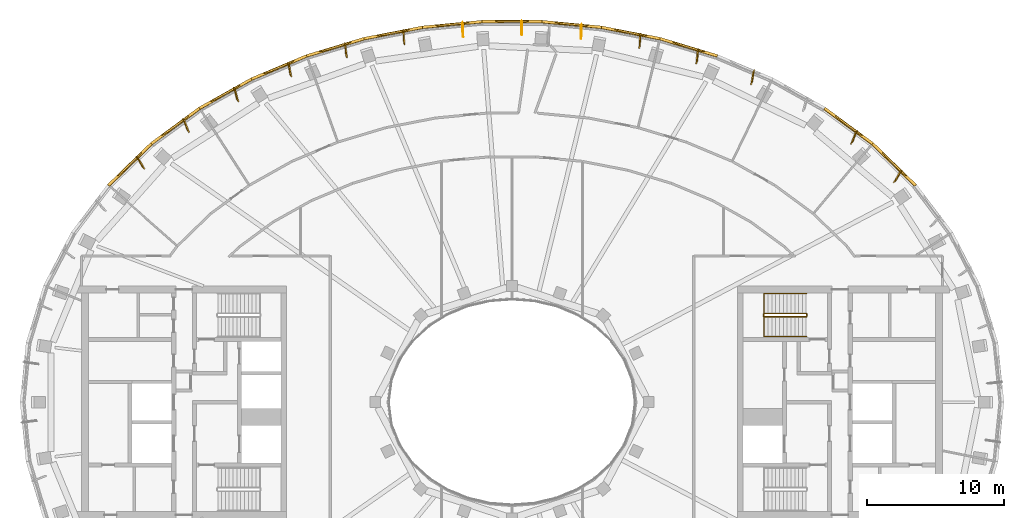
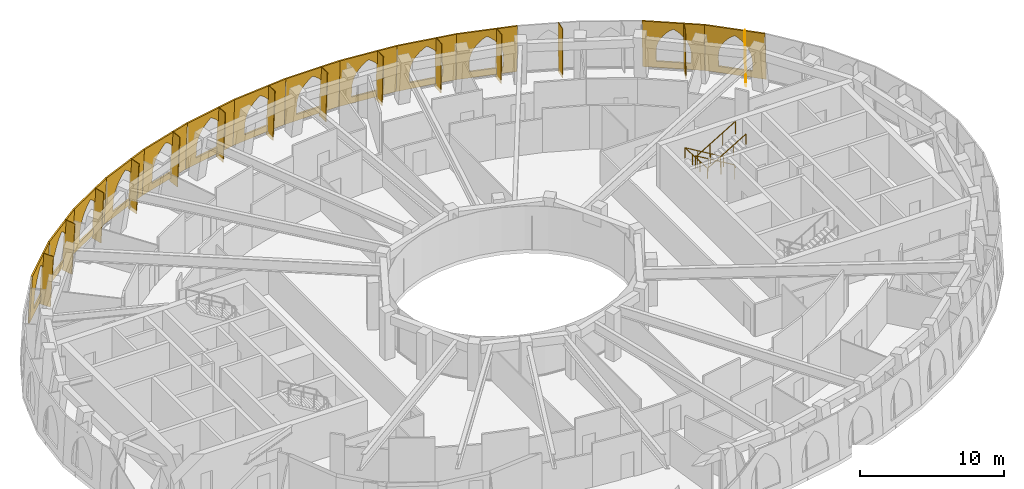
# One storey, part 14 of 15: 27 coverings, 2 railings.
"""IFC4 building model written with IfcOpenShell, lengths in metres."""

from ifc_helpers import new_model, si_unit, direction, frame, origin, origin_2d, place, context, subcontext, project, spatial, polyline, rectangle, outline, extrude, material, layer, layer_set, type_object, element, save


model = new_model("IFC4")

# Units and contexts
model_context = context("Model", 3, precision=1e-05, world=origin(), true_north=direction((0.0, 1.0)))
body_context = subcontext(model_context, "Body", "Model", "MODEL_VIEW")
ifc_project = project(units=[si_unit("LENGTHUNIT", "METRE"), si_unit("AREAUNIT", "SQUARE_METRE"), si_unit("VOLUMEUNIT", "CUBIC_METRE"), si_unit("PLANEANGLEUNIT", "RADIAN"), si_unit("MASSUNIT", "GRAM", prefix="KILO")], contexts=[model_context])

# Site, building, storey
site_placement = place(None, origin())
site = spatial("IfcSite", under=ifc_project, at=site_placement, CompositionType="ELEMENT")
building_placement = place(site_placement, origin())
building = spatial("IfcBuilding", under=site, at=building_placement, Name="Noorbagh Ring Tower", CompositionType="ELEMENT")
storey_placement = place(building_placement, frame((0.0, 0.0, 331.0)))
storey = spatial("IfcBuildingStorey", under=building, at=storey_placement, Name="L72", CompositionType="ELEMENT", Elevation=331.0)

# Railings
ifc_material_1 = material(Name="Stainless steel", Category="steel")
railing_type_1 = type_object("IfcRailingType", Name="CORE-STAIR-GUARD", PredefinedType="GUARDRAIL", material=ifc_material_1)
railing_1_placement = place(storey_placement, frame((21.580078125, 6.449951171875, 0.0)))
element("IfcRailing", 1, at=railing_1_placement, inside=storey, type_object=railing_type_1, Name="L72 ST3 stair guard", PredefinedType="GUARDRAIL", context=body_context, shape_type="SweptSolid", body=[
    extrude(rectangle(XDim=0.048095703125, YDim=0.048095703125, at=origin_2d()), frame((0.0, 0.0, 1.076171875), z_axis=(0.0, -1.0, 0.0), x_axis=(1.0, 0.0, 0.0)), (0.0, 0.0, 1.0), 0.14990234375),
    extrude(rectangle(XDim=0.048095703125, YDim=0.048095703125, at=origin_2d()), frame((0.0, -0.14990234375, 1.076171875), z_axis=(-0.188775798145, 0.754182335027, 0.628945707965), x_axis=(-0.970072785993, -0.242814311512, 0.0)), (0.0, 0.0, 1.0), 0.26513671875),
    extrude(rectangle(XDim=0.048095703125, YDim=0.048095703125, at=origin_2d()), frame((-0.050048828125, 0.050048828125, 1.24267578125), z_axis=(-0.859308565015, 0.0, 0.511457515432), x_axis=(0.0, -1.0, 0.0)), (0.0, 0.0, 1.0), 3.58447265625),
    extrude(rectangle(XDim=0.048095703125, YDim=0.048095703125, at=origin_2d()), frame((-3.130126953125, 0.050048828125, 3.076171875), z_axis=(-0.707106781187, -0.707106781187, 0.0), x_axis=(0.707106781187, -0.707106781187, 0.0)), (0.0, 0.0, 1.0), 0.07080078125),
    extrude(rectangle(XDim=0.048095703125, YDim=0.048095703125, at=origin_2d()), frame((-3.18017578125, 0.0, 3.076171875), z_axis=(0.0, -1.0, 0.0), x_axis=(1.0, 0.0, 0.0)), (0.0, 0.0, 1.0), 0.14990234375),
    extrude(rectangle(XDim=0.048095703125, YDim=0.048095703125, at=origin_2d()), frame((-3.18017578125, -0.14990234375, 3.076171875), z_axis=(0.27628659633, -0.27628659633, 0.920506074601), x_axis=(0.707106781187, 0.707106781187, 0.0)), (0.0, 0.0, 1.0), 0.18115234375),
    extrude(rectangle(XDim=0.048095703125, YDim=0.048095703125, at=origin_2d()), frame((-3.130126953125, -0.199951171875, 3.24267578125), z_axis=(0.859308565015, 0.0, 0.511457515432), x_axis=(0.0, 1.0, 0.0)), (0.0, 0.0, 1.0), 3.58447265625),
    extrude(rectangle(XDim=0.0419921875, YDim=0.0419921875, at=origin_2d()), origin(), (0.0, 0.0, 1.0), 1.052001953125),
    extrude(rectangle(XDim=0.0419921875, YDim=0.0419921875, at=origin_2d()), frame((-1.07666015625, 0.050048828125, 0.77783203125)), (0.0, 0.0, 1.0), 1.052001953125),
    extrude(rectangle(XDim=0.0419921875, YDim=0.0419921875, at=origin_2d()), frame((-2.103515625, 0.050048828125, 1.388916015625)), (0.0, 0.0, 1.0), 1.052001953125),
    extrude(rectangle(XDim=0.0419921875, YDim=0.0419921875, at=origin_2d()), frame((-3.130126953125, 0.050048828125, 2.0)), (0.0, 0.0, 1.0), 1.052001953125),
    extrude(rectangle(XDim=0.0419921875, YDim=0.0419921875, at=origin_2d()), frame((-3.130126953125, -0.199951171875, 2.166748046875)), (0.0, 0.0, 1.0), 1.052001953125),
    extrude(rectangle(XDim=0.0419921875, YDim=0.0419921875, at=origin_2d()), frame((-2.103515625, -0.199951171875, 2.77783203125)), (0.0, 0.0, 1.0), 1.052001953125),
    extrude(rectangle(XDim=0.0419921875, YDim=0.0419921875, at=origin_2d()), frame((-1.07666015625, -0.199951171875, 3.388916015625)), (0.0, 0.0, 1.0), 1.052001953125),
    extrude(rectangle(XDim=0.0419921875, YDim=0.0419921875, at=origin_2d()), frame((-0.050048828125, -0.199951171875, 4.0)), (0.0, 0.0, 1.0), 1.052001953125),
])
ifc_material_2 = material(Name="Stainless steel", Category="steel")
railing_type_2 = type_object("IfcRailingType", Name="CORE-STAIR-HANDRAIL", PredefinedType="HANDRAIL", material=ifc_material_2)
railing_2_placement = place(storey_placement, frame((21.530029296875, 7.949951171875, 0.166748046875)))
element("IfcRailing", 2, at=railing_2_placement, inside=storey, type_object=railing_type_2, Name="L72 ST3 stair handrail", PredefinedType="HANDRAIL", context=body_context, shape_type="SweptSolid", body=[
    extrude(rectangle(XDim=0.048095703125, YDim=0.048095703125, at=origin_2d()), frame((0.0, 0.0, 0.8759765625), z_axis=(-0.859308565015, 0.0, 0.511457515432), x_axis=(0.0, -1.0, 0.0)), (0.0, 0.0, 1.0), 3.58447265625),
    extrude(rectangle(XDim=0.048095703125, YDim=0.048095703125, at=origin_2d()), frame((-3.080078125, 0.0, 2.708984375), z_axis=(0.0, -0.998601747152, 0.052863509014), x_axis=(1.0, 0.0, 0.0)), (0.0, 0.0, 1.0), 3.154296875),
    extrude(rectangle(XDim=0.048095703125, YDim=0.048095703125, at=origin_2d()), frame((-3.080078125, -3.14990234375, 2.8759765625), z_axis=(0.859308565015, 0.0, 0.511457515432), x_axis=(0.0, 1.0, 0.0)), (0.0, 0.0, 1.0), 3.58447265625),
    extrude(rectangle(XDim=0.0419921875, YDim=0.0419921875, at=origin_2d()), origin(), (0.0, 0.0, 1.0), 0.851806640625),
    extrude(rectangle(XDim=0.0419921875, YDim=0.0419921875, at=origin_2d()), frame((-1.026611328125, 0.0, 0.611083984375)), (0.0, 0.0, 1.0), 0.851806640625),
    extrude(rectangle(XDim=0.0419921875, YDim=0.0419921875, at=origin_2d()), frame((-2.053466796875, 0.0, 1.22216796875)), (0.0, 0.0, 1.0), 0.851806640625),
    extrude(rectangle(XDim=0.0419921875, YDim=0.0419921875, at=origin_2d()), frame((-3.080078125, 0.0, 1.833251953125)), (0.0, 0.0, 1.0), 0.851806640625),
    extrude(rectangle(XDim=0.0419921875, YDim=0.0419921875, at=origin_2d()), frame((-3.080078125, -1.050048828125, 1.888916015625)), (0.0, 0.0, 1.0), 0.851806640625),
    extrude(rectangle(XDim=0.0419921875, YDim=0.0419921875, at=origin_2d()), frame((-3.080078125, -2.099853515625, 1.9443359375)), (0.0, 0.0, 1.0), 0.851806640625),
    extrude(rectangle(XDim=0.0419921875, YDim=0.0419921875, at=origin_2d()), frame((-3.080078125, -3.14990234375, 2.0)), (0.0, 0.0, 1.0), 0.851806640625),
    extrude(rectangle(XDim=0.0419921875, YDim=0.0419921875, at=origin_2d()), frame((-2.053466796875, -3.14990234375, 2.611083984375)), (0.0, 0.0, 1.0), 0.851806640625),
    extrude(rectangle(XDim=0.0419921875, YDim=0.0419921875, at=origin_2d()), frame((-1.026611328125, -3.14990234375, 3.22216796875)), (0.0, 0.0, 1.0), 0.851806640625),
    extrude(rectangle(XDim=0.0419921875, YDim=0.0419921875, at=origin_2d()), frame((0.0, -3.14990234375, 3.833251953125)), (0.0, 0.0, 1.0), 0.851806640625),
])

# Coverings
ifc_material_3 = material(Name="Aluminium 6063-T6 black anodised", Category="aluminium")
ifc_layer_1 = layer(ifc_material_3, 0.050048828125)
ifc_layer_set_1 = layer_set([ifc_layer_1], Name="Aluminium 6063-T6 black anodised")
covering_type_1 = type_object("IfcCoveringType", Name="STYLE-HEAD-FIN", PredefinedType="CLADDING", material=ifc_layer_set_1)
covering_1_placement = place(storey_placement, frame((28.5703125, 16.95751953125, -0.31494140625), z_axis=(0.863729704312, -0.503616267605, 0.018483854928), x_axis=(-0.039140773983, -0.03047150993, 0.998768985749)))
element("IfcCovering", 3, at=covering_1_placement, inside=storey, type_object=covering_type_1, Name="Fin rib F05 L72", ObjectType="FIN", PredefinedType="CLADDING", context=body_context, shape_type="SweptSolid", body=[
    extrude(outline(polyline([(0.0, 0.0), (4.320261658778037, 0.0), (4.361684159786144, 0.8988157411742396), (0.04143205686112905, 0.8989384054998826), (0.0, 0.0)])), origin(), (0.0, 0.0, -1.0), 0.050048828125),
])
covering_2_placement = place(storey_placement, frame((25.29541015625, 19.862548828125, -0.31494140625), z_axis=(0.930726653952, -0.365211551667, 0.019194221858), x_axis=(-0.034550445535, -0.035558580398, 0.998770170797)))
element("IfcCovering", 4, at=covering_2_placement, inside=storey, type_object=covering_type_1, Name="Fin rib F06 L72", ObjectType="FIN", PredefinedType="CLADDING", context=body_context, shape_type="SweptSolid", body=[
    extrude(outline(polyline([(0.0, 0.0), (4.320257621679663, 0.0), (4.361405558109073, 0.8990852075184764), (0.04114769030273465, 0.8989469835674277), (0.0, 0.0)])), origin(), (0.0, 0.0, -1.0), 0.050048828125),
])
covering_3_placement = place(storey_placement, frame((17.7666015625, 24.311279296875, -0.31494140625), z_axis=(0.987102798737, -0.159183885401, 0.016986917159), x_axis=(-0.024186454971, -0.043399993966, 0.998764965305)))
element("IfcCovering", 5, at=covering_3_placement, inside=storey, type_object=covering_type_1, Name="Fin rib F08 L72", ObjectType="FIN", PredefinedType="CLADDING", context=body_context, shape_type="SweptSolid", body=[
    extrude(outline(polyline([(0.0, 0.0), (4.32027709836062, 0.0), (4.362311626462117, 0.8991711253754271), (0.04203452810149622, 0.8991711253754269), (0.0, 0.0)])), origin(), (0.0, 0.0, -1.0), 0.050048828125),
])
covering_4_placement = place(storey_placement, frame((13.669921875, 25.86669921875, -0.31494140625), z_axis=(0.995610291718, -0.092495057751, 0.014311230426), x_axis=(-0.018650887525, -0.046224902455, 0.998756928781)))
element("IfcCovering", 6, at=covering_4_placement, inside=storey, type_object=covering_type_1, Name="Fin rib F09 L72", ObjectType="FIN", PredefinedType="CLADDING", context=body_context, shape_type="SweptSolid", body=[
    extrude(outline(polyline([(0.0, 0.0), (4.320311699795511, 2.7755575615628914e-17), (4.363281754643001, 0.8988289392166375), (0.04298134022406647, 0.8990717711488562), (0.0, 0.0)])), origin(), (0.0, 0.0, -1.0), 0.050048828125),
])
covering_5_placement = place(storey_placement, frame((9.43310546875, 26.98876953125, -0.31494140625), z_axis=(0.998904517796, -0.045571204071, 0.010631542043), x_axis=(-0.012829023445, -0.048202848236, 0.998755175996)))
element("IfcCovering", 7, at=covering_5_placement, inside=storey, type_object=covering_type_1, Name="Fin rib F10 L72", ObjectType="FIN", PredefinedType="CLADDING", context=body_context, shape_type="SweptSolid", body=[
    extrude(outline(polyline([(0.0, 0.0), (4.320319384381297, 2.7755575615628914e-17), (4.364176357805257, 0.89879163744508), (0.043868741697455006, 0.8990352403380919), (0.0, 0.0)])), origin(), (0.0, 0.0, -1.0), 0.050048828125),
])
covering_6_placement = place(storey_placement, frame((5.105712890625, 27.685791015625, -0.31494140625), z_axis=(0.99989718211, -0.012885272965, 0.006292451678), x_axis=(-0.006922445275, -0.049446360211, 0.998752790841)))
element("IfcCovering", 8, at=covering_6_placement, inside=storey, type_object=covering_type_1, Name="Fin rib F11 L72", ObjectType="FIN", PredefinedType="CLADDING", context=body_context, shape_type="SweptSolid", body=[
    extrude(outline(polyline([(0.0, 0.0), (4.320330530098316, 2.7755575615628914e-17), (4.364906857897705, 0.8988708645010566), (0.0445780178495053, 0.8988739304345287), (0.0, 0.0)])), origin(), (0.0, 0.0, -1.0), 0.050048828125),
])
covering_7_placement = place(storey_placement, frame((0.731201171875, 27.9638671875, -0.31494140625), z_axis=(0.999929228315, 0.011798975026, 0.001523991495), x_axis=(-0.000932076751, -0.050010535602, 0.998748255349)))
element("IfcCovering", 9, at=covering_7_placement, inside=storey, type_object=covering_type_1, Name="Fin rib F12 L72", ObjectType="FIN", PredefinedType="CLADDING", context=body_context, shape_type="SweptSolid", body=[
    extrude(outline(polyline([(0.0, 0.0), (4.320349568931261, -2.7755575615628914e-17), (4.365344154588084, 0.8988409730802553), (0.04500702281804181, 0.8990818955830328), (0.0, 0.0)])), origin(), (0.0, 0.0, -1.0), 0.050048828125),
])
covering_8_placement = place(storey_placement, frame((-3.650146484375, 27.82470703125, -0.31494140625), z_axis=(-0.999348498305, -0.035942908802, 0.003268982004), x_axis=(0.005057555359, -0.049783775, 0.998747213704)))
element("IfcCovering", 10, at=covering_8_placement, inside=storey, type_object=covering_type_1, Name="Fin rib F13 L72", ObjectType="FIN", PredefinedType="CLADDING", context=body_context, shape_type="SweptSolid", body=[
    extrude(outline(polyline([(0.0, 0.0), (4.320353487108868, 0.0), (4.365293936806532, -0.8988772683094207), (0.044939214942937955, -0.8988685439105552), (0.0, 0.0)])), origin(), (0.0, 0.0, -1.0), 0.050048828125),
])
covering_9_placement = place(storey_placement, frame((-7.997802734375, 27.267822265625, -0.31494140625), z_axis=(-0.997794948635, -0.065913870468, 0.007784738823), x_axis=(0.011021154996, -0.048880347363, 0.998743833916)))
element("IfcCovering", 11, at=covering_9_placement, inside=storey, type_object=covering_type_1, Name="Fin rib F14 L72", ObjectType="FIN", PredefinedType="CLADDING", context=body_context, shape_type="SweptSolid", body=[
    extrude(outline(polyline([(0.0, 0.0), (4.320368443924735, 2.7755575615628914e-17), (4.364914356586794, -0.8988036803014559), (0.044557846340613654, -0.8990469975253996), (0.0, 0.0)])), origin(), (0.0, 0.0, -1.0), 0.050048828125),
])
covering_10_placement = place(storey_placement, frame((-12.27001953125, 26.2880859375, -0.31494140625), z_axis=(-0.994014034415, -0.108622816039, 0.011712524155), x_axis=(0.016924820505, -0.047188170981, 0.998742622987)))
element("IfcCovering", 12, at=covering_10_placement, inside=storey, type_object=covering_type_1, Name="Fin rib F15 L72", ObjectType="FIN", PredefinedType="CLADDING", context=body_context, shape_type="SweptSolid", body=[
    extrude(outline(polyline([(0.0, 0.0), (4.320375167868033, 2.7755575615628914e-17), (4.364250796493104, -0.8990187191163703), (0.04387976066132674, -0.8990450700791668), (0.0, 0.0)])), origin(), (0.0, 0.0, -1.0), 0.050048828125),
])
covering_11_placement = place(storey_placement, frame((-16.419189453125, 24.878173828125, -0.31494140625), z_axis=(-0.985324921997, -0.170051947727, 0.014735439126), x_axis=(0.022660129151, -0.0447551678, 0.998740954153)))
element("IfcCovering", 13, at=covering_11_placement, inside=storey, type_object=covering_type_1, Name="Fin rib F16 L72", ObjectType="FIN", PredefinedType="CLADDING", context=body_context, shape_type="SweptSolid", body=[
    extrude(outline(polyline([(0.0, 0.0), (4.3203809639608926, -2.7755575615628914e-17), (4.36354586278741, -0.8990396405337513), (0.043164898826517833, -0.8990396405337514), (0.0, 0.0)])), origin(), (0.0, 0.0, -1.0), 0.050048828125),
])
covering_12_placement = place(storey_placement, frame((-20.390625, 23.028564453125, -0.31494140625), z_axis=(-0.966983595457, -0.254290917459, 0.016698964468), x_axis=(0.028167919259, -0.041527193426, 0.998740236764)))
element("IfcCovering", 14, at=covering_12_placement, inside=storey, type_object=covering_type_1, Name="Fin rib F17 L72", ObjectType="FIN", PredefinedType="CLADDING", context=body_context, shape_type="SweptSolid", body=[
    extrude(outline(polyline([(0.0, 0.0), (4.320382093632918, 2.7755575615628914e-17), (4.362976320398077, -0.898975721855775), (0.04258734983174663, -0.8989138866238457), (0.0, 0.0)])), origin(), (0.0, 0.0, -1.0), 0.050048828125),
])
covering_13_placement = place(storey_placement, frame((-24.11865234375, 20.729736328125, -0.31494140625), z_axis=(-0.931288864338, -0.363863116793, 0.017455182551), x_axis=(0.033374369557, -0.037508638465, 0.998738831476)))
element("IfcCovering", 15, at=covering_13_placement, inside=storey, type_object=covering_type_1, Name="Fin rib F18 L72", ObjectType="FIN", PredefinedType="CLADDING", context=body_context, shape_type="SweptSolid", body=[
    extrude(outline(polyline([(0.0, 0.0), (4.320387383173463, 0.0), (4.3627593460141005, -0.8988994919300412), (0.04237297218363265, -0.8990381509641956), (0.0, 0.0)])), origin(), (0.0, 0.0, -1.0), 0.050048828125),
])
covering_14_placement = place(storey_placement, frame((-27.522216796875, 17.976318359375, -0.31494140625), z_axis=(-0.867834081661, -0.4965638136, 0.016981923659), x_axis=(0.038200005746, -0.032605626206, 0.998738020054)))
element("IfcCovering", 16, at=covering_14_placement, inside=storey, type_object=covering_type_1, Name="Fin rib F19 L72", ObjectType="FIN", PredefinedType="CLADDING", context=body_context, shape_type="SweptSolid", body=[
    extrude(outline(polyline([(0.0, 0.0), (4.320393656404708, 0.0), (4.362943025150162, -0.8990936109283568), (0.04254936874545527, -0.8990936109283569), (0.0, 0.0)])), origin(), (0.0, 0.0, -1.0), 0.050048828125),
])
ifc_material_4 = material(Name="Red sandstone jali", Category="masonry")
ifc_layer_2 = layer(ifc_material_4, 0.1201171875)
ifc_layer_set_2 = layer_set([ifc_layer_2], Name="Red sandstone jali")
covering_type_2 = type_object("IfcCoveringType", Name="STYLE-HEAD-SKIN", PredefinedType="CLADDING", material=ifc_layer_set_2)
covering_15_placement = place(storey_placement, frame((29.607666015625, 15.927978515625, 0.0), z_axis=(0.696011390946, 0.716348570953, 0.049120958523), x_axis=(-0.717214320942, 0.696852651451, -1.300997e-06)))
element("IfcCovering", 17, at=covering_15_placement, inside=storey, type_object=covering_type_2, Name="Head skin panel", ObjectType="HEAD SKIN", PredefinedType="CLADDING", context=body_context, shape_type="SweptSolid", body=[
    extrude(outline(polyline([(0.0, 0.0), (4.384521484375, 0.0), (4.3955078125, 4.0048828125), (0.0390625, 4.0048828125), (0.0, 0.0)]), holes=[polyline([(0.9755859375, 0.550048828125), (0.980712890625, 1.342041015625), (1.00341796875, 1.66064453125), (1.067626953125, 1.9736328125), (1.172119140625, 2.275634765625), (1.315185546875, 2.56201171875), (1.493896484375, 2.827392578125), (1.705810546875, 3.067138671875), (1.947265625, 3.277587890625), (2.213623046875, 3.454833984375), (2.477783203125, 3.277587890625), (2.71630859375, 3.067138671875), (2.92529296875, 2.827392578125), (3.10107421875, 2.56201171875), (3.240478515625, 2.275634765625), (3.341064453125, 1.9736328125), (3.4013671875, 1.66064453125), (3.42041015625, 1.342041015625), (3.415283203125, 0.550048828125), (0.9755859375, 0.550048828125)])]), origin(), (0.0, 0.0, -1.0), 0.1201171875),
])
covering_16_placement = place(storey_placement, frame((26.463134765625, 18.9833984375, 0.0), z_axis=(0.592330447647, 0.804193803126, 0.049162666773), x_axis=(-0.805167441426, 0.593047545537, 6.088e-07)))
element("IfcCovering", 18, at=covering_16_placement, inside=storey, type_object=covering_type_2, Name="Head skin panel", ObjectType="HEAD SKIN", PredefinedType="CLADDING", context=body_context, shape_type="SweptSolid", body=[
    extrude(outline(polyline([(0.0, 0.0), (4.384765625, 0.0), (4.39599609375, 4.0048828125), (0.0380859375, 4.0048828125), (0.0, 0.0)]), holes=[polyline([(0.9755859375, 0.550048828125), (0.98046875, 1.34130859375), (1.00341796875, 1.659912109375), (1.0673828125, 1.972900390625), (1.172119140625, 2.275390625), (1.31494140625, 2.5615234375), (1.493896484375, 2.826904296875), (1.705810546875, 3.067138671875), (1.947265625, 3.277587890625), (2.213623046875, 3.454833984375), (2.47802734375, 3.277587890625), (2.716796875, 3.067138671875), (2.92578125, 2.826904296875), (3.1015625, 2.5615234375), (3.240966796875, 2.275390625), (3.341796875, 1.972900390625), (3.402099609375, 1.659912109375), (3.4208984375, 1.34130859375), (3.416015625, 0.550048828125), (0.9755859375, 0.550048828125)])]), origin(), (0.0, 0.0, -1.0), 0.1201171875),
])
covering_17_placement = place(storey_placement, frame((15.065185546875, 25.430419921875, 0.0), z_axis=(0.287802464006, 0.956405166129, 0.049587295889), x_axis=(-0.957583181724, 0.288156988601, -6.72818e-07)))
element("IfcCovering", 19, at=covering_17_placement, inside=storey, type_object=covering_type_2, Name="Head skin panel", ObjectType="HEAD SKIN", PredefinedType="CLADDING", context=body_context, shape_type="SweptSolid", body=[
    extrude(outline(polyline([(0.0, 0.0), (4.385986328125, 0.0), (4.388671875, 4.0048828125), (0.027587890625, 4.0048828125), (0.0, 0.0)]), holes=[polyline([(0.97412109375, 0.550048828125), (0.97705078125, 1.340087890625), (0.999267578125, 1.65869140625), (1.062744140625, 1.97216796875), (1.16650390625, 2.274658203125), (1.30908203125, 2.56103515625), (1.487548828125, 2.82666015625), (1.698974609375, 3.06689453125), (1.93994140625, 3.277587890625), (2.206298828125, 3.455078125), (2.47119140625, 3.277587890625), (2.710693359375, 3.06689453125), (2.92041015625, 2.82666015625), (3.0966796875, 2.56103515625), (3.237060546875, 2.274658203125), (3.33837890625, 1.97216796875), (3.399658203125, 1.65869140625), (3.419189453125, 1.340087890625), (3.416259765625, 0.550048828125), (0.97412109375, 0.550048828125)])]), origin(), (0.0, 0.0, -1.0), 0.1201171875),
])
covering_18_placement = place(storey_placement, frame((10.865234375, 26.6943359375, 0.0), z_axis=(0.190584980953, 0.9804101748, 0.049731822647), x_axis=(-0.98162483332, 0.190821085339, 3.32356e-07)))
element("IfcCovering", 20, at=covering_18_placement, inside=storey, type_object=covering_type_2, Name="Head skin panel", ObjectType="HEAD SKIN", PredefinedType="CLADDING", context=body_context, shape_type="SweptSolid", body=[
    extrude(outline(polyline([(0.0, 0.0), (4.385986328125, 0.0), (4.38427734375, 4.0048828125), (0.02294921875, 4.0048828125), (0.0, 0.0)]), holes=[polyline([(0.973388671875, 0.550048828125), (0.975341796875, 1.33984375), (0.997314453125, 1.65869140625), (1.060302734375, 1.971923828125), (1.163818359375, 2.2744140625), (1.305908203125, 2.56103515625), (1.484130859375, 2.82666015625), (1.6953125, 3.06689453125), (1.93603515625, 3.277587890625), (2.202392578125, 3.455078125), (2.46728515625, 3.277587890625), (2.70703125, 3.06689453125), (2.9169921875, 2.82666015625), (3.093994140625, 2.56103515625), (3.234375, 2.2744140625), (3.336181640625, 1.971923828125), (3.397705078125, 1.65869140625), (3.41796875, 1.33984375), (3.415771484375, 0.550048828125), (0.973388671875, 0.550048828125)])]), origin(), (0.0, 0.0, -1.0), 0.1201171875),
])
covering_19_placement = place(storey_placement, frame((6.559814453125, 27.53125, 0.0), z_axis=(0.094902814294, 0.994235885903, 0.049884456709), x_axis=(-0.995475260678, 0.095021078593, 7.52626e-07)))
element("IfcCovering", 21, at=covering_19_placement, inside=storey, type_object=covering_type_2, Name="Head skin panel", ObjectType="HEAD SKIN", PredefinedType="CLADDING", context=body_context, shape_type="SweptSolid", body=[
    extrude(outline(polyline([(0.0, 0.0), (4.386474609375, 0.0), (4.379638671875, 4.0048828125), (0.017822265625, 4.0048828125), (0.0, 0.0)]), holes=[polyline([(0.97265625, 0.550048828125), (0.9736328125, 1.339599609375), (0.9951171875, 1.658447265625), (1.0576171875, 1.971923828125), (1.160888671875, 2.2744140625), (1.302490234375, 2.56103515625), (1.48046875, 2.82666015625), (1.69140625, 3.06689453125), (1.931884765625, 3.277587890625), (2.19775390625, 3.455078125), (2.463134765625, 3.277587890625), (2.703125, 3.06689453125), (2.91357421875, 2.82666015625), (3.0908203125, 2.56103515625), (3.231689453125, 2.2744140625), (3.333984375, 1.971923828125), (3.395751953125, 1.658447265625), (3.416259765625, 1.339599609375), (3.415283203125, 0.550048828125), (0.97265625, 0.550048828125)])]), origin(), (0.0, 0.0, -1.0), 0.1201171875),
])
covering_20_placement = place(storey_placement, frame((2.193115234375, 27.947998046875, 0.0), z_axis=(0.0, 0.99874990542, 0.049986262356), x_axis=(-1.0, 0.0, 0.0)))
element("IfcCovering", 22, at=covering_20_placement, inside=storey, type_object=covering_type_2, Name="Head skin panel", ObjectType="HEAD SKIN", PredefinedType="CLADDING", context=body_context, shape_type="SweptSolid", body=[
    extrude(outline(polyline([(0.0, 0.0), (4.38623046875, 0.0), (4.3740234375, 4.005126953125), (0.01220703125, 4.005126953125), (0.0, 0.0)]), holes=[polyline([(0.9716796875, 0.550048828125), (0.9716796875, 1.339599609375), (0.99267578125, 1.658447265625), (1.05517578125, 1.971923828125), (1.15771484375, 2.2744140625), (1.299072265625, 2.56103515625), (1.4765625, 2.82666015625), (1.687255859375, 3.06689453125), (1.927490234375, 3.277587890625), (2.193115234375, 3.455078125), (2.458740234375, 3.277587890625), (2.69921875, 3.06689453125), (2.90966796875, 2.82666015625), (3.08740234375, 2.56103515625), (3.228515625, 2.2744140625), (3.331298828125, 1.971923828125), (3.3935546875, 1.658447265625), (3.41455078125, 1.339599609375), (3.41455078125, 0.550048828125), (0.9716796875, 0.550048828125)])]), origin(), (0.0, 0.0, -1.0), 0.1201171875),
])
covering_21_placement = place(storey_placement, frame((-2.193115234375, 27.947998046875, 0.0), z_axis=(-0.094874475322, 0.994230988155, 0.050035748467), x_axis=(-0.995477893409, -0.094993493109, 6.33357e-07)))
element("IfcCovering", 23, at=covering_21_placement, inside=storey, type_object=covering_type_2, Name="Head skin panel", ObjectType="HEAD SKIN", PredefinedType="CLADDING", context=body_context, shape_type="SweptSolid", body=[
    extrude(outline(polyline([(0.0, 0.0), (4.386474609375, 0.0), (4.368896484375, 4.005126953125), (0.0068359375, 4.005126953125), (0.0, 0.0)]), holes=[polyline([(0.97119140625, 0.550048828125), (0.969970703125, 1.339599609375), (0.990478515625, 1.658447265625), (1.052490234375, 1.971923828125), (1.15478515625, 2.2744140625), (1.295654296875, 2.56103515625), (1.472900390625, 2.82666015625), (1.68310546875, 3.06689453125), (1.923095703125, 3.277587890625), (2.1884765625, 3.455078125), (2.454345703125, 3.277587890625), (2.69482421875, 3.06689453125), (2.906005859375, 2.82666015625), (3.083740234375, 2.56103515625), (3.2255859375, 2.2744140625), (3.32861328125, 1.971923828125), (3.391357421875, 1.658447265625), (3.41259765625, 1.339599609375), (3.413818359375, 0.550048828125), (0.97119140625, 0.550048828125)])]), origin(), (0.0, 0.0, -1.0), 0.1201171875),
])
covering_22_placement = place(storey_placement, frame((-6.559814453125, 27.53125, 0.0), z_axis=(-0.190581454703, 0.980392035011, 0.050101564952), x_axis=(-0.981624833367, -0.190821085097, -3.3482e-07)))
element("IfcCovering", 24, at=covering_22_placement, inside=storey, type_object=covering_type_2, Name="Head skin panel", ObjectType="HEAD SKIN", PredefinedType="CLADDING", context=body_context, shape_type="SweptSolid", body=[
    extrude(outline(polyline([(0.0, 0.0), (4.385986328125, 0.0), (4.363037109375, 4.005126953125), (0.001708984375, 4.005126953125), (0.0, 0.0)]), holes=[polyline([(0.970458984375, 0.550048828125), (0.96826171875, 1.33984375), (0.98828125, 1.65869140625), (1.0498046875, 1.971923828125), (1.15185546875, 2.2744140625), (1.292236328125, 2.56103515625), (1.468994140625, 2.82666015625), (1.67919921875, 3.06689453125), (1.918701171875, 3.277587890625), (2.18408203125, 3.455078125), (2.4501953125, 3.277587890625), (2.69091796875, 3.06689453125), (2.902099609375, 2.82666015625), (3.080322265625, 2.56103515625), (3.222412109375, 2.2744140625), (3.325927734375, 1.971923828125), (3.38916015625, 1.65869140625), (3.410888671875, 1.33984375), (3.412841796875, 0.550048828125), (0.970458984375, 0.550048828125)])]), origin(), (0.0, 0.0, -1.0), 0.1201171875),
])
covering_23_placement = place(storey_placement, frame((-10.865234375, 26.6943359375, 0.0), z_axis=(-0.287813423954, 0.956376829291, 0.050067887788), x_axis=(-0.957577810955, -0.288174835762, -2.5497e-07)))
element("IfcCovering", 25, at=covering_23_placement, inside=storey, type_object=covering_type_2, Name="Head skin panel", ObjectType="HEAD SKIN", PredefinedType="CLADDING", context=body_context, shape_type="SweptSolid", body=[
    extrude(outline(polyline([(0.0, 0.0), (4.385986328125, 0.0), (4.3583984375, 4.005126953125), (-0.0029296875, 4.005126953125), (0.0, 0.0)]), holes=[polyline([(0.9697265625, 0.550048828125), (0.966796875, 1.340087890625), (0.986572265625, 1.65869140625), (1.047607421875, 1.97216796875), (1.149169921875, 2.274658203125), (1.289306640625, 2.561279296875), (1.4658203125, 2.826904296875), (1.675537109375, 3.06689453125), (1.914794921875, 3.277587890625), (2.1796875, 3.455078125), (2.446044921875, 3.277587890625), (2.68701171875, 3.06689453125), (2.898681640625, 2.826904296875), (3.0771484375, 2.561279296875), (3.219482421875, 2.274658203125), (3.323486328125, 1.97216796875), (3.386962890625, 1.65869140625), (3.408935546875, 1.340087890625), (3.412109375, 0.550048828125), (0.9697265625, 0.550048828125)])]), origin(), (0.0, 0.0, -1.0), 0.1201171875),
])
covering_24_placement = place(storey_placement, frame((-15.065185546875, 25.430419921875, 0.0), z_axis=(-0.387158674161, 0.9206553537, 0.050018803714), x_axis=(-0.921809198989, -0.387643909612, 2.67957e-07)))
element("IfcCovering", 26, at=covering_24_placement, inside=storey, type_object=covering_type_2, Name="Head skin panel", ObjectType="HEAD SKIN", PredefinedType="CLADDING", context=body_context, shape_type="SweptSolid", body=[
    extrude(outline(polyline([(0.0, 0.0), (4.385986328125, 0.0), (4.353515625, 4.005126953125), (-0.006591796875, 4.005126953125), (0.0, 0.0)]), holes=[polyline([(0.96923828125, 0.550048828125), (0.965576171875, 1.34033203125), (0.98486328125, 1.6591796875), (1.045654296875, 1.972412109375), (1.146728515625, 2.27490234375), (1.28662109375, 2.561279296875), (1.462890625, 2.826904296875), (1.67236328125, 3.06689453125), (1.911376953125, 3.277587890625), (2.176025390625, 3.455078125), (2.4423828125, 3.277587890625), (2.68359375, 3.06689453125), (2.8955078125, 2.826904296875), (3.07421875, 2.561279296875), (3.216796875, 2.27490234375), (3.321044921875, 1.972412109375), (3.384765625, 1.6591796875), (3.4072265625, 1.34033203125), (3.4111328125, 0.550048828125), (0.96923828125, 0.550048828125)])]), origin(), (0.0, 0.0, -1.0), 0.1201171875),
])
covering_25_placement = place(storey_placement, frame((-19.108154296875, 23.730224609375, 0.0), z_axis=(-0.488804911263, 0.870959957397, 0.049985111155), x_axis=(-0.872050028273, -0.489416742857, 9.76713e-07)))
element("IfcCovering", 27, at=covering_25_placement, inside=storey, type_object=covering_type_2, Name="Head skin panel", ObjectType="HEAD SKIN", PredefinedType="CLADDING", context=body_context, shape_type="SweptSolid", body=[
    extrude(outline(polyline([(0.0, 0.0), (4.3857421875, 0.0), (4.349853515625, 4.0048828125), (-0.009765625, 4.005126953125), (0.0, 0.0)]), holes=[polyline([(0.968994140625, 0.550048828125), (0.964599609375, 1.3408203125), (0.983642578125, 1.659423828125), (1.044189453125, 1.97265625), (1.14501953125, 2.275146484375), (1.28466796875, 2.5615234375), (1.460693359375, 2.826904296875), (1.669921875, 3.067138671875), (1.90869140625, 3.277587890625), (2.173095703125, 3.455078125), (2.439697265625, 3.277587890625), (2.680908203125, 3.067138671875), (2.892822265625, 2.826904296875), (3.07177734375, 2.5615234375), (3.214599609375, 2.275146484375), (3.319091796875, 1.97265625), (3.383056640625, 1.659423828125), (3.40576171875, 1.3408203125), (3.41015625, 0.550048828125), (0.968994140625, 0.550048828125)])]), origin(), (0.0, 0.0, -1.0), 0.1201171875),
])
covering_26_placement = place(storey_placement, frame((-22.9326171875, 21.583740234375, 0.0), z_axis=(-0.592292250536, 0.804169833402, 0.050007689408), x_axis=(-0.805177238596, -0.593034243907, 2.07883e-07)))
element("IfcCovering", 28, at=covering_26_placement, inside=storey, type_object=covering_type_2, Name="Head skin panel", ObjectType="HEAD SKIN", PredefinedType="CLADDING", context=body_context, shape_type="SweptSolid", body=[
    extrude(outline(polyline([(0.0, 0.0), (4.384765625, 0.0), (4.3466796875, 4.005126953125), (-0.011474609375, 4.005126953125), (0.0, 0.0)]), holes=[polyline([(0.96875, 0.550048828125), (0.964111328125, 1.341552734375), (0.98291015625, 1.66015625), (1.043212890625, 1.97314453125), (1.14404296875, 2.275390625), (1.283447265625, 2.561767578125), (1.459228515625, 2.8271484375), (1.668212890625, 3.067138671875), (1.906982421875, 3.277587890625), (2.171142578125, 3.455078125), (2.437744140625, 3.277587890625), (2.67919921875, 3.067138671875), (2.89111328125, 2.8271484375), (3.070068359375, 2.561767578125), (3.212890625, 2.275390625), (3.3173828125, 1.97314453125), (3.381591796875, 1.66015625), (3.404541015625, 1.341552734375), (3.409423828125, 0.550048828125), (0.96875, 0.550048828125)])]), origin(), (0.0, 0.0, -1.0), 0.1201171875),
])
covering_27_placement = place(storey_placement, frame((-26.463134765625, 18.9833984375, 0.0), z_axis=(-0.69599524663, 0.716303244207, 0.050002789998), x_axis=(-0.717200394606, -0.696866984422, 3.23883e-07)))
element("IfcCovering", 29, at=covering_27_placement, inside=storey, type_object=covering_type_2, Name="Head skin panel", ObjectType="HEAD SKIN", PredefinedType="CLADDING", context=body_context, shape_type="SweptSolid", body=[
    extrude(outline(polyline([(0.0, 0.0), (4.384521484375, 0.0), (4.345458984375, 4.005126953125), (-0.010986328125, 4.005126953125), (0.0, 0.0)]), holes=[polyline([(0.968994140625, 0.550048828125), (0.964111328125, 1.34228515625), (0.98291015625, 1.66064453125), (1.043212890625, 1.9736328125), (1.143798828125, 2.27587890625), (1.283203125, 2.56201171875), (1.458984375, 2.827392578125), (1.667724609375, 3.0673828125), (1.906494140625, 3.27783203125), (2.170654296875, 3.455078125), (2.43701171875, 3.27783203125), (2.67822265625, 3.0673828125), (2.89013671875, 2.827392578125), (3.069091796875, 2.56201171875), (3.212158203125, 2.27587890625), (3.31640625, 1.9736328125), (3.380615234375, 1.66064453125), (3.403564453125, 1.34228515625), (3.408447265625, 0.550048828125), (0.968994140625, 0.550048828125)])]), origin(), (0.0, 0.0, -1.0), 0.1201171875),
])

save(model, "model.ifc")
